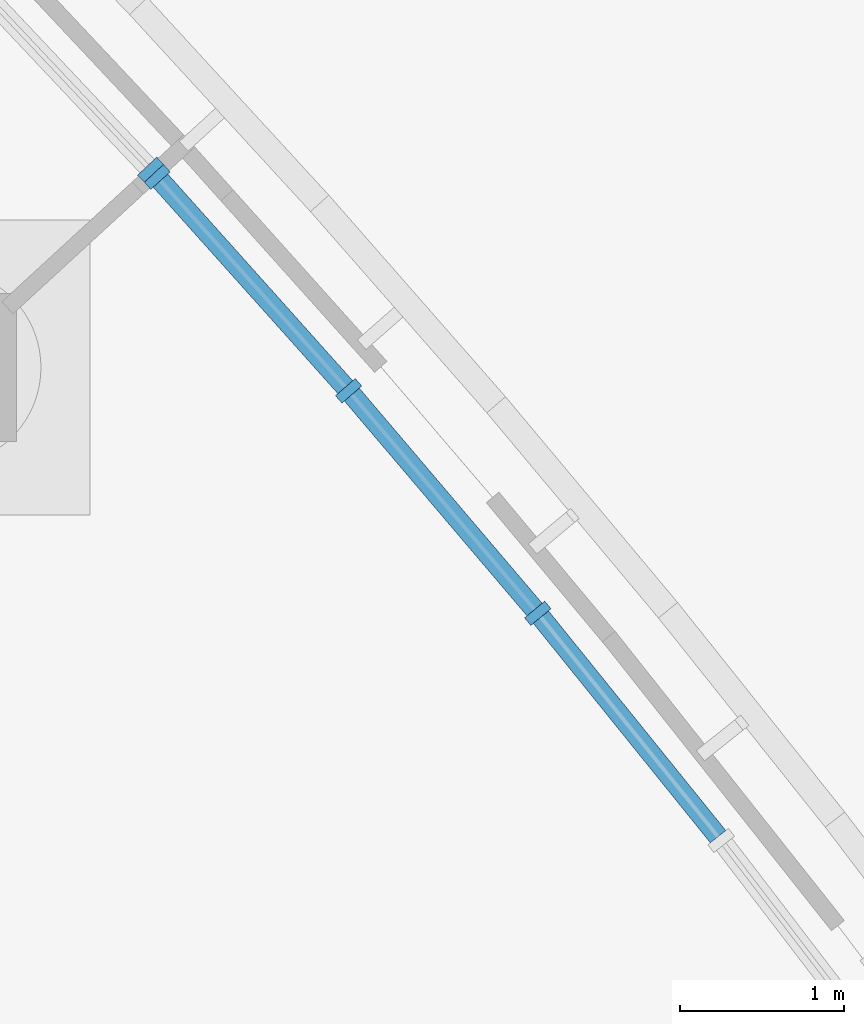
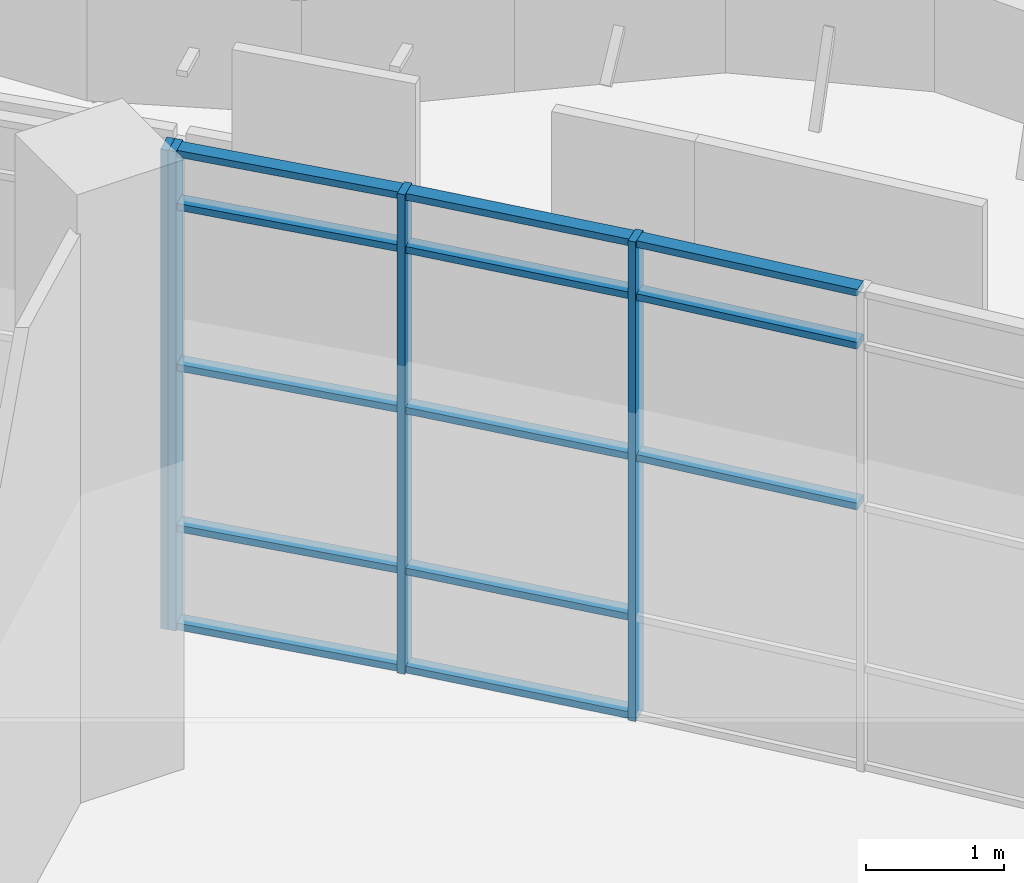
# One storey, part 38 of 146: 17 members, 2 elements without a shape of their own.
"""IFC4 building model written with IfcOpenShell, lengths in metres."""

from ifc_helpers import new_model, si_unit, direction, frame, origin, origin_2d, place, context, subcontext, project, spatial, rectangle, extrude, material, material_profile, profile_set, type_object, element, aggregate, save


model = new_model("IFC4")

# Units and contexts
model_context = context("Model", 3, precision=1e-05, world=origin(), true_north=direction((0.0, 1.0)))
body_context = subcontext(model_context, "Body", "Model", "MODEL_VIEW")
ifc_project = project(units=[si_unit("LENGTHUNIT", "METRE"), si_unit("AREAUNIT", "SQUARE_METRE"), si_unit("VOLUMEUNIT", "CUBIC_METRE"), si_unit("PLANEANGLEUNIT", "RADIAN"), si_unit("MASSUNIT", "GRAM", prefix="KILO")], contexts=[model_context])

# Site, building, storey
site_placement = place(None, origin())
site = spatial("IfcSite", under=ifc_project, at=site_placement, CompositionType="ELEMENT")
building_placement = place(site_placement, origin())
building = spatial("IfcBuilding", under=site, at=building_placement, Name="Bougainvillea Quay General Hospital", CompositionType="ELEMENT")
storey_placement = place(building_placement, origin())
storey = spatial("IfcBuildingStorey", under=building, at=storey_placement, Name="L00", CompositionType="ELEMENT", Elevation=0.0)

# Curtain wall, member
ifc_material_1 = material(Name="Aluminium curtain wall system, powder-coated glazed", Category="aluminium")
curtain_wall_type = type_object("IfcCurtainWallType", Name="Unitised curtain wall CW-2100", PredefinedType="NOTDEFINED", material=ifc_material_1)
curtain_wall_1_placement = place(storey_placement, origin())
curtain_wall_1 = element("IfcCurtainWall", 1, at=curtain_wall_1_placement, inside=storey, type_object=curtain_wall_type, Name="CW-E03 a23b2", PredefinedType="NOTDEFINED")
ifc_material_2 = material(Name="Aluminium mullion, powder-coated charcoal", Category="aluminium")
ifc_material_profile_1 = material_profile(ifc_material_2, rectangle(XDim=0.159912109375, YDim=0.06005859375, at=origin_2d()))
ifc_profile_set_1 = profile_set([ifc_material_profile_1], Name="Aluminium mullion, powder-coated charcoal")
member_type_1 = type_object("IfcMemberType", Name="Curtain wall mullion 160x60", PredefinedType="MULLION", material=ifc_profile_set_1)
member_1_placement = place(storey_placement, frame((160.55224609375, 69.201904296875, 0.0), z_axis=(0.0, 0.0, 1.0), x_axis=(0.727830210087, 0.685757380773, 0.0)))
member_1 = element("IfcMember", 2, at=member_1_placement, type_object=member_type_1, Name="CW-E03 mullion 6", PredefinedType="MULLION", context=body_context, shape_type="SweptSolid", body=[
    extrude(rectangle(XDim=0.159912109375, YDim=0.06005859375, at=origin_2d()), origin(), (0.0, 0.0, 1.0), 4.25),
])
aggregate(curtain_wall_1, [member_1])

# Curtain wall, members
curtain_wall_2_placement = place(storey_placement, origin())
curtain_wall_2 = element("IfcCurtainWall", 3, at=curtain_wall_2_placement, inside=storey, type_object=curtain_wall_type, Name="CW-E04 a23b3", PredefinedType="NOTDEFINED")
member_2_placement = place(storey_placement, frame((160.5927734375, 69.15771484375, 0.0), z_axis=(0.0, 0.0, 1.0), x_axis=(0.745094309044, 0.666959122159, 0.0)))
member_2 = element("IfcMember", 4, at=member_2_placement, type_object=member_type_1, Name="CW-E04 mullion 1", PredefinedType="MULLION", context=body_context, shape_type="SweptSolid", body=[
    extrude(rectangle(XDim=0.159912109375, YDim=0.06005859375, at=origin_2d()), origin(), (0.0, 0.0, 1.0), 4.25),
])
member_3_placement = place(storey_placement, frame((161.760009765625, 67.853759765625, 0.0), z_axis=(0.0, 0.0, 1.0), x_axis=(0.753545034628, 0.657396288997, 0.0)))
member_3 = element("IfcMember", 5, at=member_3_placement, type_object=member_type_1, Name="CW-E04 mullion 2", PredefinedType="MULLION", context=body_context, shape_type="SweptSolid", body=[
    extrude(rectangle(XDim=0.159912109375, YDim=0.06005859375, at=origin_2d()), origin(), (0.0, 0.0, 1.0), 4.25),
])
member_4_placement = place(storey_placement, frame((162.913330078125, 66.497314453125, 0.0), z_axis=(0.0, 0.0, 1.0), x_axis=(0.7700769567, 0.637951001849, 0.0)))
member_4 = element("IfcMember", 6, at=member_4_placement, type_object=member_type_1, Name="CW-E04 mullion 3", PredefinedType="MULLION", context=body_context, shape_type="SweptSolid", body=[
    extrude(rectangle(XDim=0.159912109375, YDim=0.06005859375, at=origin_2d()), origin(), (0.0, 0.0, 1.0), 4.25),
])
ifc_material_3 = material(Name="Aluminium transom, powder-coated charcoal", Category="aluminium")
ifc_material_profile_2 = material_profile(ifc_material_3, rectangle(XDim=0.1201171875, YDim=0.06005859375, at=origin_2d()))
ifc_profile_set_2 = profile_set([ifc_material_profile_2], Name="Aluminium transom, powder-coated charcoal")
member_type_2 = type_object("IfcMemberType", Name="Curtain wall transom 120x60", PredefinedType="USERDEFINED", material=ifc_profile_set_2)
member_5_placement = place(storey_placement, frame((160.61279296875, 69.135498046875, 0.030029296875), z_axis=(0.666879297012, -0.745165755531, 0.0), x_axis=(0.745165755531, 0.666879297012, 0.0)))
member_5 = element("IfcMember", 7, at=member_5_placement, type_object=member_type_2, Name="CW-E04 transom 1.1", ObjectType="TRANSOM", PredefinedType="USERDEFINED", context=body_context, shape_type="SweptSolid", body=[
    extrude(rectangle(XDim=0.1201171875, YDim=0.06005859375, at=origin_2d()), origin(), (0.0, 0.0, 1.0), 1.690185546875),
])
member_6_placement = place(storey_placement, frame((160.61279296875, 69.135498046875, 0.89990234375), z_axis=(0.666879297012, -0.745165755531, 0.0), x_axis=(0.745165755531, 0.666879297012, 0.0)))
member_6 = element("IfcMember", 8, at=member_6_placement, type_object=member_type_2, Name="CW-E04 transom 1.2", ObjectType="TRANSOM", PredefinedType="USERDEFINED", context=body_context, shape_type="SweptSolid", body=[
    extrude(rectangle(XDim=0.1201171875, YDim=0.06005859375, at=origin_2d()), origin(), (0.0, 0.0, 1.0), 1.690185546875),
])
member_7_placement = place(storey_placement, frame((160.61279296875, 69.135498046875, 2.324951171875), z_axis=(0.666879297012, -0.745165755531, 0.0), x_axis=(0.745165755531, 0.666879297012, 0.0)))
member_7 = element("IfcMember", 9, at=member_7_placement, type_object=member_type_2, Name="CW-E04 transom 1.3", ObjectType="TRANSOM", PredefinedType="USERDEFINED", context=body_context, shape_type="SweptSolid", body=[
    extrude(rectangle(XDim=0.1201171875, YDim=0.06005859375, at=origin_2d()), origin(), (0.0, 0.0, 1.0), 1.690185546875),
])
member_8_placement = place(storey_placement, frame((160.61279296875, 69.135498046875, 3.75), z_axis=(0.666879297012, -0.745165755531, 0.0), x_axis=(0.745165755531, 0.666879297012, 0.0)))
member_8 = element("IfcMember", 10, at=member_8_placement, type_object=member_type_2, Name="CW-E04 transom 1.4", ObjectType="TRANSOM", PredefinedType="USERDEFINED", context=body_context, shape_type="SweptSolid", body=[
    extrude(rectangle(XDim=0.1201171875, YDim=0.06005859375, at=origin_2d()), origin(), (0.0, 0.0, 1.0), 1.690185546875),
])
member_9_placement = place(storey_placement, frame((160.61279296875, 69.135498046875, 4.219970703125), z_axis=(0.666879297012, -0.745165755531, 0.0), x_axis=(0.745165755531, 0.666879297012, 0.0)))
member_9 = element("IfcMember", 11, at=member_9_placement, type_object=member_type_2, Name="CW-E04 transom 1.5", ObjectType="TRANSOM", PredefinedType="USERDEFINED", context=body_context, shape_type="SweptSolid", body=[
    extrude(rectangle(XDim=0.1201171875, YDim=0.06005859375, at=origin_2d()), origin(), (0.0, 0.0, 1.0), 1.690185546875),
])
member_10_placement = place(storey_placement, frame((161.779541015625, 67.830810546875, 0.030029296875), z_axis=(0.647747288615, -0.761855268468, 0.0), x_axis=(0.761855268468, 0.647747288615, 0.0)))
member_10 = element("IfcMember", 12, at=member_10_placement, type_object=member_type_2, Name="CW-E04 transom 2.1", ObjectType="TRANSOM", PredefinedType="USERDEFINED", context=body_context, shape_type="SweptSolid", body=[
    extrude(rectangle(XDim=0.1201171875, YDim=0.06005859375, at=origin_2d()), origin(), (0.0, 0.0, 1.0), 1.72021484375),
])
member_11_placement = place(storey_placement, frame((161.779541015625, 67.830810546875, 0.89990234375), z_axis=(0.647747288615, -0.761855268468, 0.0), x_axis=(0.761855268468, 0.647747288615, 0.0)))
member_11 = element("IfcMember", 13, at=member_11_placement, type_object=member_type_2, Name="CW-E04 transom 2.2", ObjectType="TRANSOM", PredefinedType="USERDEFINED", context=body_context, shape_type="SweptSolid", body=[
    extrude(rectangle(XDim=0.1201171875, YDim=0.06005859375, at=origin_2d()), origin(), (0.0, 0.0, 1.0), 1.72021484375),
])
member_12_placement = place(storey_placement, frame((161.779541015625, 67.830810546875, 2.324951171875), z_axis=(0.647747288615, -0.761855268468, 0.0), x_axis=(0.761855268468, 0.647747288615, 0.0)))
member_12 = element("IfcMember", 14, at=member_12_placement, type_object=member_type_2, Name="CW-E04 transom 2.3", ObjectType="TRANSOM", PredefinedType="USERDEFINED", context=body_context, shape_type="SweptSolid", body=[
    extrude(rectangle(XDim=0.1201171875, YDim=0.06005859375, at=origin_2d()), origin(), (0.0, 0.0, 1.0), 1.72021484375),
])
member_13_placement = place(storey_placement, frame((161.779541015625, 67.830810546875, 3.75), z_axis=(0.647747288615, -0.761855268468, 0.0), x_axis=(0.761855268468, 0.647747288615, 0.0)))
member_13 = element("IfcMember", 15, at=member_13_placement, type_object=member_type_2, Name="CW-E04 transom 2.4", ObjectType="TRANSOM", PredefinedType="USERDEFINED", context=body_context, shape_type="SweptSolid", body=[
    extrude(rectangle(XDim=0.1201171875, YDim=0.06005859375, at=origin_2d()), origin(), (0.0, 0.0, 1.0), 1.72021484375),
])
member_14_placement = place(storey_placement, frame((161.779541015625, 67.830810546875, 4.219970703125), z_axis=(0.647747288615, -0.761855268468, 0.0), x_axis=(0.761855268468, 0.647747288615, 0.0)))
member_14 = element("IfcMember", 16, at=member_14_placement, type_object=member_type_2, Name="CW-E04 transom 2.5", ObjectType="TRANSOM", PredefinedType="USERDEFINED", context=body_context, shape_type="SweptSolid", body=[
    extrude(rectangle(XDim=0.1201171875, YDim=0.06005859375, at=origin_2d()), origin(), (0.0, 0.0, 1.0), 1.72021484375),
])
member_15_placement = place(storey_placement, frame((162.93212890625, 66.47412109375, 2.324951171875), z_axis=(0.628029823491, -0.778189270554, 0.0), x_axis=(0.778189270554, 0.628029823491, 0.0)))
member_15 = element("IfcMember", 17, at=member_15_placement, type_object=member_type_2, Name="CW-E04 transom 3.3", ObjectType="TRANSOM", PredefinedType="USERDEFINED", context=body_context, shape_type="SweptSolid", body=[
    extrude(rectangle(XDim=0.1201171875, YDim=0.06005859375, at=origin_2d()), origin(), (0.0, 0.0, 1.0), 1.72021484375),
])
member_16_placement = place(storey_placement, frame((162.93212890625, 66.47412109375, 3.75), z_axis=(0.628029823491, -0.778189270554, 0.0), x_axis=(0.778189270554, 0.628029823491, 0.0)))
member_16 = element("IfcMember", 18, at=member_16_placement, type_object=member_type_2, Name="CW-E04 transom 3.4", ObjectType="TRANSOM", PredefinedType="USERDEFINED", context=body_context, shape_type="SweptSolid", body=[
    extrude(rectangle(XDim=0.1201171875, YDim=0.06005859375, at=origin_2d()), origin(), (0.0, 0.0, 1.0), 1.72021484375),
])
member_17_placement = place(storey_placement, frame((162.93212890625, 66.47412109375, 4.219970703125), z_axis=(0.628029823491, -0.778189270554, 0.0), x_axis=(0.778189270554, 0.628029823491, 0.0)))
member_17 = element("IfcMember", 19, at=member_17_placement, type_object=member_type_2, Name="CW-E04 transom 3.5", ObjectType="TRANSOM", PredefinedType="USERDEFINED", context=body_context, shape_type="SweptSolid", body=[
    extrude(rectangle(XDim=0.1201171875, YDim=0.06005859375, at=origin_2d()), origin(), (0.0, 0.0, 1.0), 1.72021484375),
])
aggregate(curtain_wall_2, [member_2, member_3, member_4, member_5, member_6, member_7, member_8, member_9, member_10, member_11, member_12, member_13, member_14, member_15, member_16, member_17])

save(model, "model.ifc")
